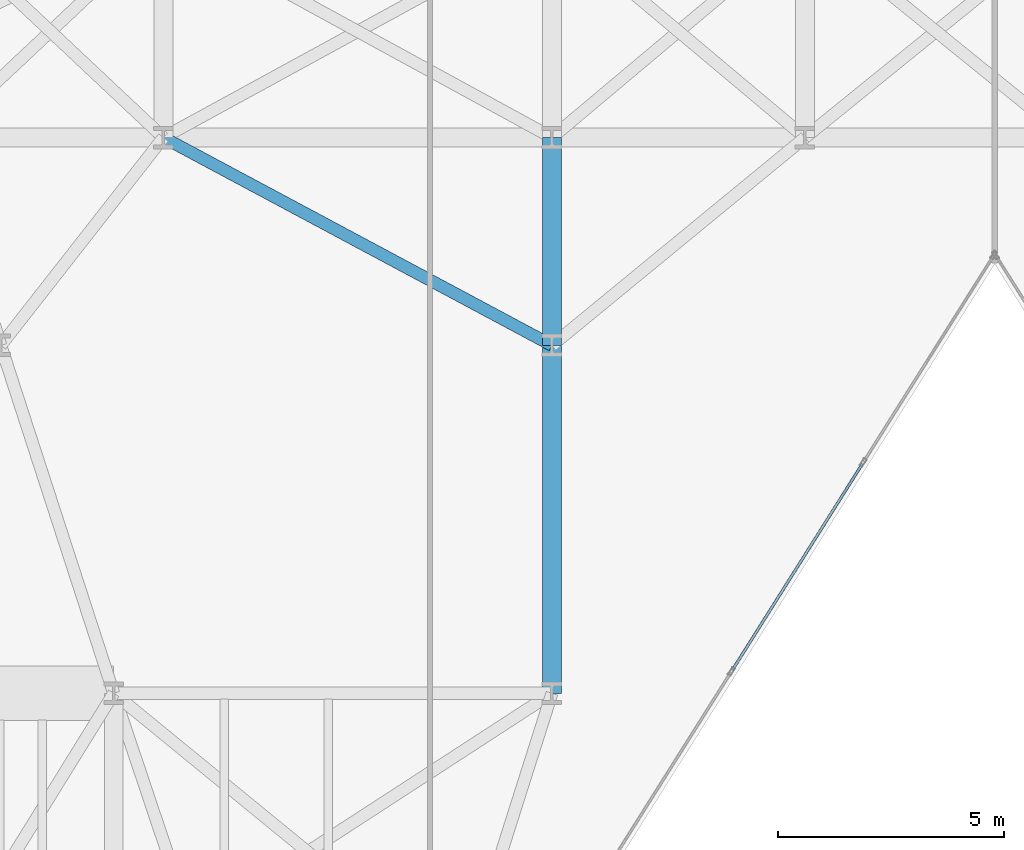
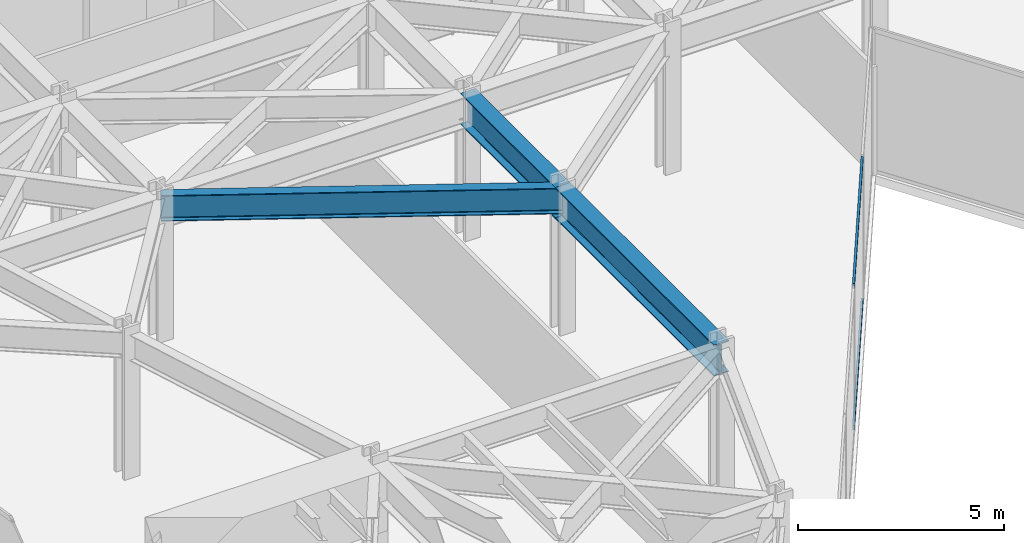
# One storey, part 9 of 28: 3 beams, 2 members, 1 element without a shape of its own.
"""IFC4 building model written with IfcOpenShell, lengths in metres."""

from ifc_helpers import new_model, si_unit, direction, frame, origin, origin_2d, place, context, subcontext, project, spatial, hollow_rectangle, i_section, extrude, material, layer, layer_set, material_profile, profile_set, type_object, element, aggregate, save


model = new_model("IFC4")

# Units and contexts
model_context = context("Model", 3, precision=1e-05, world=origin(), true_north=direction((0.0, 1.0)))
body_context = subcontext(model_context, "Body", "Model", "MODEL_VIEW")
ifc_project = project(units=[si_unit("LENGTHUNIT", "METRE"), si_unit("AREAUNIT", "SQUARE_METRE"), si_unit("VOLUMEUNIT", "CUBIC_METRE"), si_unit("PLANEANGLEUNIT", "RADIAN"), si_unit("MASSUNIT", "GRAM", prefix="KILO")], contexts=[model_context])

# Site, building, storey
site_placement = place(None, origin())
site = spatial("IfcSite", under=ifc_project, at=site_placement, CompositionType="ELEMENT")
building_placement = place(site_placement, origin())
building = spatial("IfcBuilding", under=site, at=building_placement, Name="Kravanh Interchange Tower", CompositionType="ELEMENT")
storey_placement = place(building_placement, frame((0.0, 0.0, 91.5)))
storey = spatial("IfcBuildingStorey", under=building, at=storey_placement, Name="L21", CompositionType="ELEMENT", Elevation=91.5)

# Curtain wall, members
ifc_material_1 = material(Name="Anodised Bronze Aluminium", Category="aluminium")
ifc_layer = layer(ifc_material_1, 0.179931640625)
ifc_layer_set = layer_set([ifc_layer], Name="Unitised Curtain Wall System CW-SKY Sky Observatory")
curtain_wall_type = type_object("IfcCurtainWallType", Name="Unitised Curtain Wall System CW-SKY Sky Observatory", PredefinedType="NOTDEFINED", material=ifc_layer_set)
curtain_wall_placement = place(storey_placement, origin())
curtain_wall = element("IfcCurtainWall", 1, at=curtain_wall_placement, inside=storey, type_object=curtain_wall_type, Name="L21 Unitised Curtain Wall CW-L21-06", PredefinedType="NOTDEFINED")
ifc_material_2 = material(Name="Anodised Bronze Aluminium", Category="aluminium")
ifc_material_profile_1 = material_profile(ifc_material_2, hollow_rectangle(XDim=0.06005859375, YDim=0.139892578125, WallThickness=0.00390625, at=origin_2d()), Name="ALU60X140X4")
ifc_profile_set_1 = profile_set([ifc_material_profile_1], Name="Anodised Bronze Aluminium")
member_type = type_object("IfcMemberType", Name="Curtain Wall Transom ALU60X140X4 Bronze", PredefinedType="USERDEFINED", material=ifc_profile_set_1)
member_1_placement = place(storey_placement, frame((34.068115234375, 19.574462890625, 0.030029296875), z_axis=(-0.533311487456, -0.84591894254, 0.0), x_axis=(0.84591894254, -0.533311487456, 0.0)))
member_1 = element("IfcMember", 2, at=member_1_placement, type_object=member_type, Name="CW-SKY transom 2.1", ObjectType="TRANSOM", PredefinedType="USERDEFINED", context=body_context, shape_type="SweptSolid", body=[
    extrude(hollow_rectangle(XDim=0.06005859375, YDim=0.139892578125, WallThickness=0.00390625, at=origin_2d()), origin(), (0.0, 0.0, 1.0), 5.392578125),
])
member_2_placement = place(storey_placement, frame((34.068115234375, 19.574462890625, 4.219970703125), z_axis=(-0.533311487456, -0.84591894254, 0.0), x_axis=(0.84591894254, -0.533311487456, 0.0)))
member_2 = element("IfcMember", 3, at=member_2_placement, type_object=member_type, Name="CW-SKY transom 2.2", ObjectType="TRANSOM", PredefinedType="USERDEFINED", context=body_context, shape_type="SweptSolid", body=[
    extrude(hollow_rectangle(XDim=0.06005859375, YDim=0.139892578125, WallThickness=0.00390625, at=origin_2d()), origin(), (0.0, 0.0, 1.0), 5.392578125),
])
aggregate(curtain_wall, [member_1, member_2])

# Beams
ifc_material_3 = material(Name="Structural Steel S355", Category="steel")
ifc_material_profile_2 = material_profile(ifc_material_3, i_section(OverallWidth=0.41796875, OverallDepth=0.927001953125, WebThickness=0.019287109375, FlangeThickness=0.031982421875, FilletRadius=0.028076171875, at=origin_2d()), Name="W36X231")
ifc_profile_set_2 = profile_set([ifc_material_profile_2], Name="Structural Steel S355")
beam_type_1 = type_object("IfcBeamType", Name="Floor Beam W36X231 Structural Steel S355", PredefinedType="BEAM", material=ifc_profile_set_2)
beam_1_placement = place(storey_placement, frame((27.199951171875, 22.199951171875, 3.78662109375), z_axis=(0.0, 1.0, 0.0), x_axis=(-1.0, 0.0, 0.0)))
element("IfcBeam", 4, at=beam_1_placement, inside=storey, type_object=beam_type_1, Name="L21 Primary Floor Girder 54", PredefinedType="BEAM", context=body_context, shape_type="SweptSolid", body=[
    extrude(i_section(OverallWidth=0.41796875, OverallDepth=0.927001953125, WebThickness=0.019287109375, FlangeThickness=0.031982421875, FilletRadius=0.028076171875, at=origin_2d()), origin(), (0.0, 0.0, 1.0), 4.60009765625),
])
beam_2_placement = place(storey_placement, frame((27.199951171875, 22.199951171875, 3.78662109375), z_axis=(0.0, -1.0, 0.0), x_axis=(1.0, 0.0, 0.0)))
element("IfcBeam", 5, at=beam_2_placement, inside=storey, type_object=beam_type_1, Name="L21 Primary Floor Girder 56", PredefinedType="BEAM", context=body_context, shape_type="SweptSolid", body=[
    extrude(i_section(OverallWidth=0.41796875, OverallDepth=0.927001953125, WebThickness=0.019287109375, FlangeThickness=0.031982421875, FilletRadius=0.028076171875, at=origin_2d()), origin(), (0.0, 0.0, 1.0), 7.699951171875),
])
ifc_material_4 = material(Name="Structural Steel S355", Category="steel")
ifc_material_profile_3 = material_profile(ifc_material_4, i_section(OverallWidth=0.26708984375, OverallDepth=0.761962890625, WebThickness=0.014404296875, FlangeThickness=0.021484375, FilletRadius=0.02490234375, at=origin_2d()), Name="W30X116")
ifc_profile_set_3 = profile_set([ifc_material_profile_3], Name="Structural Steel S355")
beam_type_2 = type_object("IfcBeamType", Name="Floor Spandrel W30X116 Structural Steel S355", PredefinedType="SPANDREL", material=ifc_profile_set_3)
beam_3_placement = place(storey_placement, frame((27.199951171875, 22.199951171875, 3.868896484375), z_axis=(-0.881777136221, 0.471666282489, 0.0), x_axis=(-0.471666282489, -0.881777136221, 0.0)))
element("IfcBeam", 6, at=beam_3_placement, inside=storey, type_object=beam_type_2, Name="L21 Perimeter Spandrel 57", PredefinedType="SPANDREL", context=body_context, shape_type="SweptSolid", body=[
    extrude(i_section(OverallWidth=0.26708984375, OverallDepth=0.761962890625, WebThickness=0.014404296875, FlangeThickness=0.021484375, FilletRadius=0.02490234375, at=origin_2d()), origin(), (0.0, 0.0, 1.0), 9.7529296875),
])

save(model, "model.ifc")
